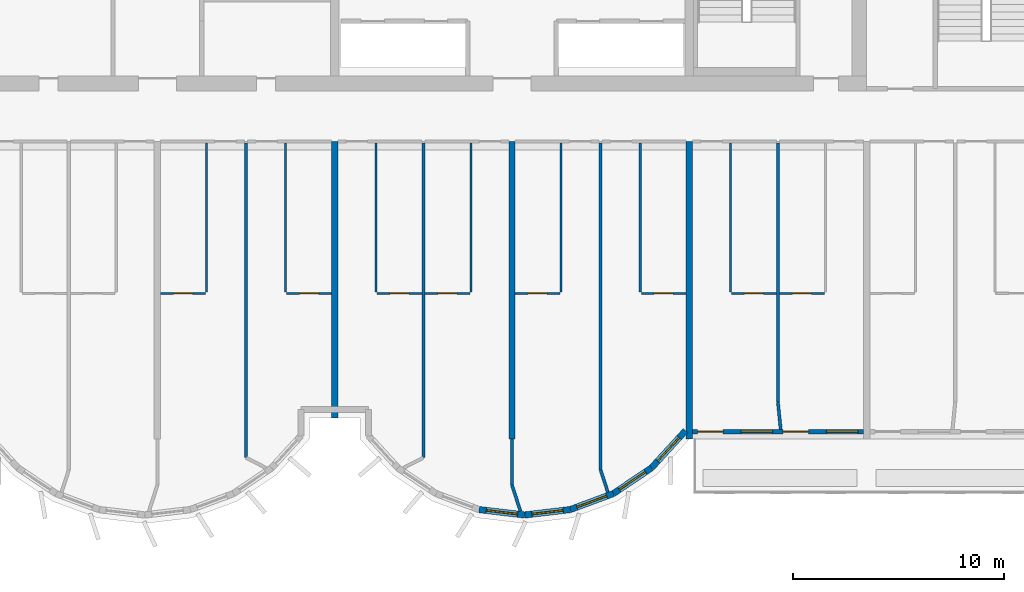
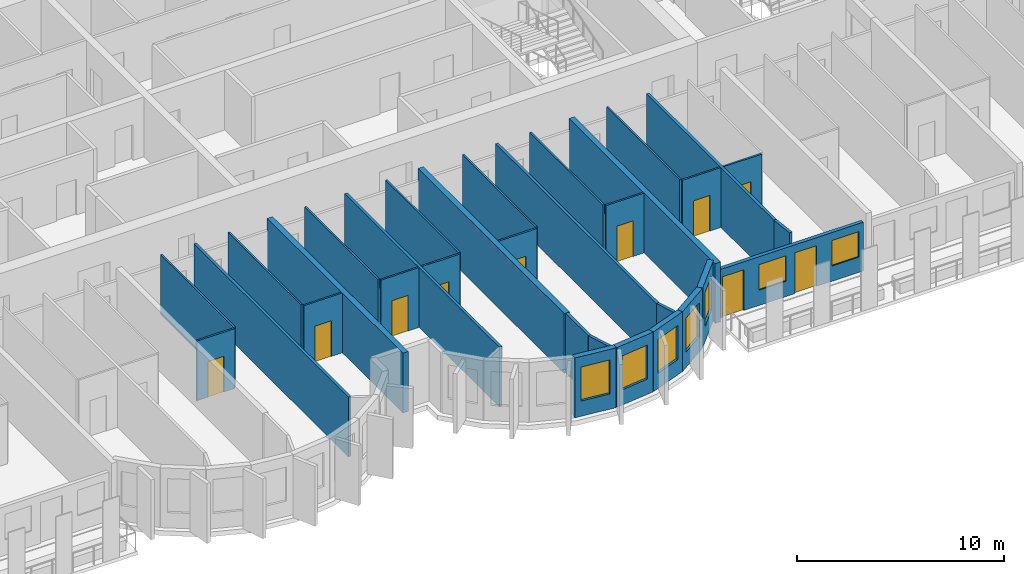
# One storey, part 5 of 13: 32 walls, 10 doors, 7 windows, 17 openings.
"""IFC4 building model written with IfcOpenShell, lengths in metres."""

from ifc_helpers import new_model, si_unit, direction, frame, frame_2d, origin, place, context, subcontext, project, spatial, rectangle, extrude, source, transform, mapped, material, layer, layer_set, type_object, element, fill, save


model = new_model("IFC4")

# Units and contexts
model_context = context("Model", 3, precision=1e-05, world=origin(), true_north=direction((0.0, 1.0)))
body_context = subcontext(model_context, "Body", "Model", "MODEL_VIEW")
ifc_project = project(units=[si_unit("LENGTHUNIT", "METRE"), si_unit("AREAUNIT", "SQUARE_METRE"), si_unit("VOLUMEUNIT", "CUBIC_METRE"), si_unit("PLANEANGLEUNIT", "RADIAN"), si_unit("MASSUNIT", "GRAM", prefix="KILO")], contexts=[model_context])

# Site, building, storey
site_placement = place(None, origin())
site = spatial("IfcSite", under=ifc_project, at=site_placement, CompositionType="ELEMENT")
building_placement = place(site_placement, origin())
building = spatial("IfcBuilding", under=site, at=building_placement, Name="Vanashikhar Sky Hotel", CompositionType="ELEMENT")
storey_placement = place(building_placement, frame((0.0, 0.0, 174.39990234375)))
storey = spatial("IfcBuildingStorey", under=building, at=storey_placement, Name="L42", CompositionType="ELEMENT", Elevation=174.39990234375)

# Walls
ifc_material_1 = material(Name="Concrete M60", Category="concrete")
ifc_layer_1 = layer(ifc_material_1, 0.300048828125)
ifc_layer_set_1 = layer_set([ifc_layer_1], Name="RC shear wall 300 Concrete M60")
wall_type_1 = type_object("IfcWallType", Name="RC shear wall 300 Concrete M60", PredefinedType="SHEAR", material=ifc_layer_set_1)
shared_shape_1 = source(origin(), body_context, "Body", "SweptSolid", [
    extrude(rectangle(XDim=14.10009765625, YDim=0.300048828125, at=frame_2d((7.050048828125, 0.0))), origin(), (0.0, 0.0, 1.0), 3.52001953125),
])
for number, where, z_axis, x_axis, name in (
    (1, (58.800048828125, 5.5, 0.0), (0.0, 0.0, 1.0), (0.0, 1.0, 0.0), "CW-L42-XW08-1"),
    (2, (67.199951171875, 5.5, 0.0), (0.0, 0.0, 1.0), (0.0, 1.0, 0.0), "CW-L42-XW09-1"),
):
    element("IfcWall", number, at=place(storey_placement, frame(where, z_axis=z_axis, x_axis=x_axis)), inside=storey, type_object=wall_type_1, Name=name, PredefinedType="SHEAR", context=body_context, shape_type="MappedRepresentation", body=[
        mapped(shared_shape_1, transform((0.0, 0.0, 0.0), scale=1.0)),
    ])
shared_shape_2 = source(origin(), body_context, "Body", "SweptSolid", [
    extrude(rectangle(XDim=13.10009765625, YDim=0.300048828125, at=frame_2d((6.550048828125, 0.0))), origin(), (0.0, 0.0, 1.0), 3.52001953125),
])
wall_1_placement = place(storey_placement, frame((50.39990234375, 6.5, 0.0), z_axis=(0.0, 0.0, 1.0), x_axis=(0.0, 1.0, 0.0)))
element("IfcWall", 3, at=wall_1_placement, inside=storey, type_object=wall_type_1, Name="CW-L42-XW07-1", PredefinedType="SHEAR", context=body_context, shape_type="MappedRepresentation", body=[
    mapped(shared_shape_2, transform((0.0, 0.0, 0.0), scale=1.0)),
])

# Wall, opening, window
ifc_material_2 = material(Name="Concrete M50", Category="concrete")
ifc_layer_2 = layer(ifc_material_2, 0.300048828125)
ifc_layer_set_2 = layer_set([ifc_layer_2], Name="Lobe wall 300")
wall_type_2 = type_object("IfcWallType", Name="Lobe wall 300", PredefinedType="SOLIDWALL", material=ifc_layer_set_2)
shared_shape_3 = source(origin(), body_context, "Body", "SweptSolid", [
    extrude(rectangle(XDim=2.398193359375, YDim=0.300048828125, at=frame_2d((1.19921875, 0.0))), origin(), (0.0, 0.0, 1.0), 3.52001953125),
])
wall_2_placement = place(storey_placement, frame((65.404296875, 4.13134765625, 0.0), z_axis=(0.0, 0.0, 1.0), x_axis=(0.675374189419, 0.737475222815, 0.0)))
wall_2 = element("IfcWall", 4, at=wall_2_placement, inside=storey, type_object=wall_type_2, Name="Lobe wall", PredefinedType="SOLIDWALL", context=body_context, shape_type="MappedRepresentation", body=[
    mapped(shared_shape_3, transform((0.0, 0.0, 0.0), scale=1.0)),
])
shared_shape_4 = source(origin(), body_context, "Body", "SweptSolid", [
    extrude(rectangle(XDim=1.5, YDim=2.0, at=frame_2d((0.75, 1.0))), frame((0.0, 0.16015625, 0.0), z_axis=(0.0, -1.0, 0.0), x_axis=(1.0, 0.0, 0.0)), (0.0, 0.0, 1.0), 0.320068359375),
])
opening_1_placement = place(wall_2_placement, frame((0.44921875, 0.0, 0.89990234375)))
opening_1 = element("IfcOpeningElement", 5, at=opening_1_placement, cuts=wall_2, Name="Opening WN-2", PredefinedType="OPENING", context=body_context, shape_type="MappedRepresentation", body=[
    mapped(shared_shape_4, transform((0.0, 0.0, 0.0), scale=1.0)),
])
ifc_material_3 = material(Name="Glass", Category="glass")
window_type_1 = type_object("IfcWindowType", Name="Lobe window 1500 x 2000", PartitioningType="SINGLE_PANEL", PredefinedType="WINDOW", material=ifc_material_3)
shared_shape_5 = source(origin(), body_context, "Body", "SweptSolid", [
    extrude(rectangle(XDim=1.5, YDim=2.0, at=frame_2d((0.75, 1.0))), frame((0.0, 0.030029296875, 0.0), z_axis=(0.0, -1.0, 0.0), x_axis=(1.0, 0.0, 0.0)), (0.0, 0.0, 1.0), 0.06005859375),
])
window_1_placement = place(opening_1_placement, origin())
window_1 = element("IfcWindow", 6, at=window_1_placement, inside=storey, type_object=window_type_1, Name="Window WN-2", OverallHeight=2.0, OverallWidth=1.5, PartitioningType="SINGLE_PANEL", PredefinedType="WINDOW", context=body_context, shape_type="MappedRepresentation", body=[
    mapped(shared_shape_5, transform((0.0, 0.0, 0.0), scale=1.0)),
])
fill(opening_1, window_1)

shared_shape_6 = source(origin(), body_context, "Body", "SweptSolid", [
    extrude(rectangle(XDim=2.17578125, YDim=0.300048828125, at=frame_2d((1.087890625, 0.0))), origin(), (0.0, 0.0, 1.0), 3.52001953125),
])
wall_3_placement = place(storey_placement, frame((63.59912109375, 2.91650390625, 0.0), z_axis=(0.0, 0.0, 1.0), x_axis=(0.829625727223, 0.558319937607, 0.0)))
wall_3 = element("IfcWall", 7, at=wall_3_placement, inside=storey, type_object=wall_type_2, Name="Lobe wall", PredefinedType="SOLIDWALL", context=body_context, shape_type="MappedRepresentation", body=[
    mapped(shared_shape_6, transform((0.0, 0.0, 0.0), scale=1.0)),
])
opening_2_placement = place(wall_3_placement, frame((0.337890625, 0.0, 0.89990234375)))
opening_2 = element("IfcOpeningElement", 8, at=opening_2_placement, cuts=wall_3, Name="Opening WN-2", PredefinedType="OPENING", context=body_context, shape_type="MappedRepresentation", body=[
    mapped(shared_shape_4, transform((0.0, 0.0, 0.0), scale=1.0)),
])
window_2_placement = place(opening_2_placement, origin())
window_2 = element("IfcWindow", 9, at=window_2_placement, inside=storey, type_object=window_type_1, Name="Window WN-2", OverallHeight=2.0, OverallWidth=1.5, PartitioningType="SINGLE_PANEL", PredefinedType="WINDOW", context=body_context, shape_type="MappedRepresentation", body=[
    mapped(shared_shape_5, transform((0.0, 0.0, 0.0), scale=1.0)),
])
fill(opening_2, window_2)

shared_shape_7 = source(origin(), body_context, "Body", "SweptSolid", [
    extrude(rectangle(XDim=2.174560546875, YDim=0.300048828125, at=frame_2d((1.08740234375, 0.0))), origin(), (0.0, 0.0, 1.0), 3.52001953125),
])
wall_4_placement = place(storey_placement, frame((57.240478515625, 2.15966796875, 0.0), z_axis=(0.0, 0.0, 1.0), x_axis=(0.993001132889, -0.118104826659, 0.0)))
wall_4 = element("IfcWall", 10, at=wall_4_placement, inside=storey, type_object=wall_type_2, Name="Lobe wall", PredefinedType="SOLIDWALL", context=body_context, shape_type="MappedRepresentation", body=[
    mapped(shared_shape_7, transform((0.0, 0.0, 0.0), scale=1.0)),
])
opening_3_placement = place(wall_4_placement, frame((0.33740234375, 0.0, 0.89990234375)))
opening_3 = element("IfcOpeningElement", 11, at=opening_3_placement, cuts=wall_4, Name="Opening WN-2", PredefinedType="OPENING", context=body_context, shape_type="MappedRepresentation", body=[
    mapped(shared_shape_4, transform((0.0, 0.0, 0.0), scale=1.0)),
])
window_3_placement = place(opening_3_placement, origin())
window_3 = element("IfcWindow", 12, at=window_3_placement, inside=storey, type_object=window_type_1, Name="Window WN-2", OverallHeight=2.0, OverallWidth=1.5, PartitioningType="SINGLE_PANEL", PredefinedType="WINDOW", context=body_context, shape_type="MappedRepresentation", body=[
    mapped(shared_shape_5, transform((0.0, 0.0, 0.0), scale=1.0)),
])
fill(opening_3, window_3)

shared_shape_8 = source(origin(), body_context, "Body", "SweptSolid", [
    extrude(rectangle(XDim=2.1748046875, YDim=0.300048828125, at=frame_2d((1.08740234375, 0.0))), origin(), (0.0, 0.0, 1.0), 3.52001953125),
])
wall_5_placement = place(storey_placement, frame((59.39990234375, 1.90283203125, 0.0), z_axis=(0.0, 0.0, 1.0), x_axis=(0.993002698611, 0.118091661648, 0.0)))
wall_5 = element("IfcWall", 13, at=wall_5_placement, inside=storey, type_object=wall_type_2, Name="Lobe wall", PredefinedType="SOLIDWALL", context=body_context, shape_type="MappedRepresentation", body=[
    mapped(shared_shape_8, transform((0.0, 0.0, 0.0), scale=1.0)),
])
opening_4_placement = place(wall_5_placement, frame((0.33740234375, 0.0, 0.89990234375)))
opening_4 = element("IfcOpeningElement", 14, at=opening_4_placement, cuts=wall_5, Name="Opening WN-2", PredefinedType="OPENING", context=body_context, shape_type="MappedRepresentation", body=[
    mapped(shared_shape_4, transform((0.0, 0.0, 0.0), scale=1.0)),
])
window_4_placement = place(opening_4_placement, origin())
window_4 = element("IfcWindow", 15, at=window_4_placement, inside=storey, type_object=window_type_1, Name="Window WN-2", OverallHeight=2.0, OverallWidth=1.5, PartitioningType="SINGLE_PANEL", PredefinedType="WINDOW", context=body_context, shape_type="MappedRepresentation", body=[
    mapped(shared_shape_5, transform((0.0, 0.0, 0.0), scale=1.0)),
])
fill(opening_4, window_4)

shared_shape_9 = source(origin(), body_context, "Body", "SweptSolid", [
    extrude(rectangle(XDim=2.175537109375, YDim=0.300048828125, at=frame_2d((1.087890625, 0.0))), origin(), (0.0, 0.0, 1.0), 3.52001953125),
])
wall_6_placement = place(storey_placement, frame((61.5595703125, 2.15966796875, 0.0), z_axis=(0.0, 0.0, 1.0), x_axis=(0.937531979054, 0.347899106424, 0.0)))
wall_6 = element("IfcWall", 16, at=wall_6_placement, inside=storey, type_object=wall_type_2, Name="Lobe wall", PredefinedType="SOLIDWALL", context=body_context, shape_type="MappedRepresentation", body=[
    mapped(shared_shape_9, transform((0.0, 0.0, 0.0), scale=1.0)),
])
opening_5_placement = place(wall_6_placement, frame((0.337890625, 0.0, 0.89990234375)))
opening_5 = element("IfcOpeningElement", 17, at=opening_5_placement, cuts=wall_6, Name="Opening WN-2", PredefinedType="OPENING", context=body_context, shape_type="MappedRepresentation", body=[
    mapped(shared_shape_4, transform((0.0, 0.0, 0.0), scale=1.0)),
])
window_5_placement = place(opening_5_placement, origin())
window_5 = element("IfcWindow", 18, at=window_5_placement, inside=storey, type_object=window_type_1, Name="Window WN-2", OverallHeight=2.0, OverallWidth=1.5, PartitioningType="SINGLE_PANEL", PredefinedType="WINDOW", context=body_context, shape_type="MappedRepresentation", body=[
    mapped(shared_shape_5, transform((0.0, 0.0, 0.0), scale=1.0)),
])
fill(opening_5, window_5)

# Wall, openings, windows, doors
ifc_layer_3 = layer(ifc_material_2, 0.199951171875)
ifc_layer_set_3 = layer_set([ifc_layer_3], Name="Front window wall 200")
wall_type_3 = type_object("IfcWallType", Name="Front window wall 200", PredefinedType="SOLIDWALL", material=ifc_layer_set_3)
shared_shape_10 = source(origin(), body_context, "Body", "SweptSolid", [
    extrude(rectangle(XDim=8.099853515625, YDim=0.199951171875, at=frame_2d((4.0498046875, 0.0))), origin(), (0.0, 0.0, 1.0), 2.8701171875),
])
wall_7_placement = place(storey_placement, frame((67.35009765625, 5.85009765625, 0.0), z_axis=(0.0, 0.0, 1.0), x_axis=(1.0, 0.0, 0.0)))
wall_7 = element("IfcWall", 19, at=wall_7_placement, inside=storey, type_object=wall_type_3, Name="Front window wall", PredefinedType="SOLIDWALL", context=body_context, shape_type="MappedRepresentation", body=[
    mapped(shared_shape_10, transform((0.0, 0.0, 0.0), scale=1.0)),
])
shared_shape_11 = source(origin(), body_context, "Body", "SweptSolid", [
    extrude(rectangle(XDim=1.199951171875, YDim=2.39990234375, at=frame_2d((0.60009765625, 1.199951171875))), frame((0.0, 0.10986328125, 0.0), z_axis=(0.0, -1.0, 0.0), x_axis=(1.0, 0.0, 0.0)), (0.0, 0.0, 1.0), 0.219970703125),
])
opening_6_placement = place(wall_7_placement, frame((0.25, 0.0, 0.0)))
opening_6 = element("IfcOpeningElement", 20, at=opening_6_placement, cuts=wall_7, Name="Opening BD-06", PredefinedType="OPENING", context=body_context, shape_type="MappedRepresentation", body=[
    mapped(shared_shape_11, transform((0.0, 0.0, 0.0), scale=1.0)),
])
shared_shape_12 = source(origin(), body_context, "Body", "SweptSolid", [
    extrude(rectangle(XDim=1.5, YDim=1.5, at=frame_2d((0.75, 0.75))), frame((0.0, 0.10986328125, 0.0), z_axis=(0.0, -1.0, 0.0), x_axis=(1.0, 0.0, 0.0)), (0.0, 0.0, 1.0), 0.219970703125),
])
opening_7_placement = place(wall_7_placement, frame((2.300048828125, 0.0, 0.89990234375)))
opening_7 = element("IfcOpeningElement", 21, at=opening_7_placement, cuts=wall_7, Name="Opening WN-1", PredefinedType="OPENING", context=body_context, shape_type="MappedRepresentation", body=[
    mapped(shared_shape_12, transform((0.0, 0.0, 0.0), scale=1.0)),
])
opening_8_placement = place(wall_7_placement, frame((4.300048828125, 0.0, 0.0)))
opening_8 = element("IfcOpeningElement", 22, at=opening_8_placement, cuts=wall_7, Name="Opening BD-07", PredefinedType="OPENING", context=body_context, shape_type="MappedRepresentation", body=[
    mapped(shared_shape_11, transform((0.0, 0.0, 0.0), scale=1.0)),
])
opening_9_placement = place(wall_7_placement, frame((6.35009765625, 0.0, 0.89990234375)))
opening_9 = element("IfcOpeningElement", 23, at=opening_9_placement, cuts=wall_7, Name="Opening WN-1", PredefinedType="OPENING", context=body_context, shape_type="MappedRepresentation", body=[
    mapped(shared_shape_12, transform((0.0, 0.0, 0.0), scale=1.0)),
])
window_type_2 = type_object("IfcWindowType", Name="Window 1500 x 1500", PartitioningType="SINGLE_PANEL", PredefinedType="WINDOW", material=ifc_material_3)
shared_shape_13 = source(origin(), body_context, "Body", "SweptSolid", [
    extrude(rectangle(XDim=1.5, YDim=1.5, at=frame_2d((0.75, 0.75))), frame((0.0, 0.030029296875, 0.0), z_axis=(0.0, -1.0, 0.0), x_axis=(1.0, 0.0, 0.0)), (0.0, 0.0, 1.0), 0.06005859375),
])
window_6_placement = place(opening_7_placement, origin())
window_6 = element("IfcWindow", 24, at=window_6_placement, inside=storey, type_object=window_type_2, Name="Window WN-1", OverallHeight=1.5, OverallWidth=1.5, PartitioningType="SINGLE_PANEL", PredefinedType="WINDOW", context=body_context, shape_type="MappedRepresentation", body=[
    mapped(shared_shape_13, transform((0.0, 0.0, 0.0), scale=1.0)),
])
fill(opening_7, window_6)
window_7_placement = place(opening_9_placement, origin())
window_7 = element("IfcWindow", 25, at=window_7_placement, inside=storey, type_object=window_type_2, Name="Window WN-1", OverallHeight=1.5, OverallWidth=1.5, PartitioningType="SINGLE_PANEL", PredefinedType="WINDOW", context=body_context, shape_type="MappedRepresentation", body=[
    mapped(shared_shape_13, transform((0.0, 0.0, 0.0), scale=1.0)),
])
fill(opening_9, window_7)
ifc_material_4 = material(Name="Aluminium", Category="aluminium")
door_type_1 = type_object("IfcDoorType", Name="Balcony sliding door 1200 x 2400", OperationType="NOTDEFINED", PredefinedType="DOOR", material=ifc_material_4)
shared_shape_14 = source(origin(), body_context, "Body", "SweptSolid", [
    extrude(rectangle(XDim=1.199951171875, YDim=2.39990234375, at=frame_2d((0.60009765625, 1.199951171875))), frame((0.0, 0.02490234375, 0.0), z_axis=(0.0, -1.0, 0.0), x_axis=(1.0, 0.0, 0.0)), (0.0, 0.0, 1.0), 0.050048828125),
])
door_1_placement = place(opening_6_placement, origin())
door_1 = element("IfcDoor", 26, at=door_1_placement, inside=storey, type_object=door_type_1, Name="Balcony sliding door", OperationType="SLIDING_TO_RIGHT", OverallHeight=2.39990234375, OverallWidth=1.199951171875, PredefinedType="DOOR", context=body_context, shape_type="MappedRepresentation", body=[
    mapped(shared_shape_14, transform((0.0, 0.0, 0.0), scale=1.0)),
])
fill(opening_6, door_1)
door_2_placement = place(opening_8_placement, origin())
door_2 = element("IfcDoor", 27, at=door_2_placement, inside=storey, type_object=door_type_1, Name="Balcony sliding door", OperationType="SLIDING_TO_LEFT", OverallHeight=2.39990234375, OverallWidth=1.199951171875, PredefinedType="DOOR", context=body_context, shape_type="MappedRepresentation", body=[
    mapped(shared_shape_14, transform((0.0, 0.0, 0.0), scale=1.0)),
])
fill(opening_8, door_2)

# Walls
ifc_material_5 = material(Name="Gypsum plasterboard partition")
ifc_layer_4 = layer(ifc_material_5, 0.10009765625)
ifc_layer_set_4 = layer_set([ifc_layer_4], Name="Wet room partition 100")
wall_type_4 = type_object("IfcWallType", Name="Wet room partition 100", PredefinedType="PARTITIONING", material=ifc_layer_set_4)
shared_shape_15 = source(origin(), body_context, "Body", "SweptSolid", [
    extrude(rectangle(XDim=7.0498046875, YDim=0.10009765625, at=frame_2d((3.52490234375, 0.0))), origin(), (0.0, 0.0, 1.0), 3.52001953125),
])
for number, where, z_axis, x_axis, name in (
    (28, (44.324951171875, 12.47509765625, 0.0), (0.0, 0.0, 1.0), (0.0, 1.0, 0.0), "W-L42-PW027"),
    (29, (48.074951171875, 12.47509765625, 0.0), (0.0, 0.0, 1.0), (0.0, 1.0, 0.0), "W-L42-PW030"),
    (30, (52.35009765625, 12.47509765625, 0.0), (0.0, 0.0, 1.0), (0.0, 1.0, 0.0), "W-L42-PW034"),
    (31, (56.85009765625, 12.47509765625, 0.0), (0.0, 0.0, 1.0), (0.0, 1.0, 0.0), "W-L42-PW037"),
    (32, (61.125, 12.47509765625, 0.0), (0.0, 0.0, 1.0), (0.0, 1.0, 0.0), "W-L42-PW041"),
    (33, (64.875, 12.47509765625, 0.0), (0.0, 0.0, 1.0), (0.0, 1.0, 0.0), "W-L42-PW044"),
    (34, (69.14990234375, 12.47509765625, 0.0), (0.0, 0.0, 1.0), (0.0, 1.0, 0.0), "W-L42-PW048"),
):
    element("IfcWall", number, at=place(storey_placement, frame(where, z_axis=z_axis, x_axis=x_axis)), inside=storey, type_object=wall_type_4, Name=name, PredefinedType="PARTITIONING", context=body_context, shape_type="MappedRepresentation", body=[
        mapped(shared_shape_15, transform((0.0, 0.0, 0.0), scale=1.0)),
    ])
ifc_layer_5 = layer(ifc_material_5, 0.14990234375)
ifc_layer_set_5 = layer_set([ifc_layer_5], Name="Corridor and demising partition 150")
wall_type_5 = type_object("IfcWallType", Name="Corridor and demising partition 150", PredefinedType="PARTITIONING", material=ifc_layer_set_5)
shared_shape_16 = source(origin(), body_context, "Body", "SweptSolid", [
    extrude(rectangle(XDim=2.177978515625, YDim=0.14990234375, at=frame_2d((1.0888671875, 0.0))), origin(), (0.0, 0.0, 1.0), 3.52001953125),
])
wall_8_placement = place(storey_placement, frame((58.800048828125, 3.322021484375, 0.0), z_axis=(0.0, 0.0, 1.0), x_axis=(0.0, 1.0, 0.0)))
element("IfcWall", 35, at=wall_8_placement, inside=storey, type_object=wall_type_5, Name="W-L42-PW070", PredefinedType="PARTITIONING", context=body_context, shape_type="MappedRepresentation", body=[
    mapped(shared_shape_16, transform((0.0, 0.0, 0.0), scale=1.0)),
])
shared_shape_17 = source(origin(), body_context, "Body", "SweptSolid", [
    extrude(rectangle(XDim=1.100830078125, YDim=0.14990234375, at=frame_2d((0.55029296875, 0.0))), origin(), (0.0, 0.0, 1.0), 3.52001953125),
])
wall_9_placement = place(storey_placement, frame((63.343017578125, 2.98095703125, 0.0), z_axis=(0.0, 0.0, 1.0), x_axis=(-0.311567081539, 0.950224159712, 0.0)))
element("IfcWall", 36, at=wall_9_placement, inside=storey, type_object=wall_type_5, Name="W-L42-PW047B0", PredefinedType="PARTITIONING", context=body_context, shape_type="MappedRepresentation", body=[
    mapped(shared_shape_17, transform((0.0, 0.0, 0.0), scale=1.0)),
])
shared_shape_18 = source(origin(), body_context, "Body", "SweptSolid", [
    extrude(rectangle(XDim=1.308349609375, YDim=0.14990234375, at=frame_2d((0.654296875, 0.0))), origin(), (0.0, 0.0, 1.0), 3.52001953125),
])
wall_10_placement = place(storey_placement, frame((59.201904296875, 2.076904296875, 0.0), z_axis=(0.0, 0.0, 1.0), x_axis=(-0.307144529633, 0.951662880392, 0.0)))
element("IfcWall", 37, at=wall_10_placement, inside=storey, type_object=wall_type_5, Name="W-L42-PW070B0", PredefinedType="PARTITIONING", context=body_context, shape_type="MappedRepresentation", body=[
    mapped(shared_shape_18, transform((0.0, 0.0, 0.0), scale=1.0)),
])
shared_shape_19 = source(origin(), body_context, "Body", "SweptSolid", [
    extrude(rectangle(XDim=12.27490234375, YDim=0.14990234375, at=frame_2d((6.137451171875, 0.0))), origin(), (0.0, 0.0, 1.0), 3.52001953125),
])
wall_11_placement = place(storey_placement, frame((71.39990234375, 7.25, 0.0), z_axis=(0.0, 0.0, 1.0), x_axis=(0.0, 1.0, 0.0)))
element("IfcWall", 38, at=wall_11_placement, inside=storey, type_object=wall_type_5, Name="W-L42-PW054", PredefinedType="PARTITIONING", context=body_context, shape_type="MappedRepresentation", body=[
    mapped(shared_shape_19, transform((0.0, 0.0, 0.0), scale=1.0)),
])
shared_shape_20 = source(origin(), body_context, "Body", "SweptSolid", [
    extrude(rectangle(XDim=15.497802734375, YDim=0.14990234375, at=frame_2d((7.7490234375, 0.0))), origin(), (0.0, 0.0, 1.0), 3.52001953125),
])
wall_12_placement = place(storey_placement, frame((63.0, 4.027099609375, 0.0), z_axis=(0.0, 0.0, 1.0), x_axis=(0.0, 1.0, 0.0)))
element("IfcWall", 39, at=wall_12_placement, inside=storey, type_object=wall_type_5, Name="W-L42-PW047", PredefinedType="PARTITIONING", context=body_context, shape_type="MappedRepresentation", body=[
    mapped(shared_shape_20, transform((0.0, 0.0, 0.0), scale=1.0)),
])
shared_shape_21 = source(origin(), body_context, "Body", "SweptSolid", [
    extrude(rectangle(XDim=14.906005859375, YDim=0.14990234375, at=frame_2d((7.453125, 0.0))), origin(), (0.0, 0.0, 1.0), 3.52001953125),
])
for number, where, z_axis, x_axis, name in (
    (40, (46.199951171875, 4.618896484375, 0.0), (0.0, 0.0, 1.0), (0.0, 1.0, 0.0), "W-L42-PW033"),
    (41, (54.60009765625, 4.618896484375, 0.0), (0.0, 0.0, 1.0), (0.0, 1.0, 0.0), "W-L42-PW040"),
):
    element("IfcWall", number, at=place(storey_placement, frame(where, z_axis=z_axis, x_axis=x_axis)), inside=storey, type_object=wall_type_5, Name=name, PredefinedType="PARTITIONING", context=body_context, shape_type="MappedRepresentation", body=[
        mapped(shared_shape_21, transform((0.0, 0.0, 0.0), scale=1.0)),
    ])
shared_shape_22 = source(origin(), body_context, "Body", "SweptSolid", [
    extrude(rectangle(XDim=1.306640625, YDim=0.14990234375, at=frame_2d((0.6533203125, 0.0))), origin(), (0.0, 0.0, 1.0), 3.52001953125),
])
wall_13_placement = place(storey_placement, frame((71.530029296875, 5.949951171875, 0.0), z_axis=(0.0, 0.0, 1.0), x_axis=(-0.099596223396, 0.99502793543, 0.0)))
element("IfcWall", 42, at=wall_13_placement, inside=storey, type_object=wall_type_5, Name="W-L42-PW054B0", PredefinedType="PARTITIONING", context=body_context, shape_type="MappedRepresentation", body=[
    mapped(shared_shape_22, transform((0.0, 0.0, 0.0), scale=1.0)),
])

# Wall, opening, door
shared_shape_23 = source(origin(), body_context, "Body", "SweptSolid", [
    extrude(rectangle(XDim=2.125, YDim=0.10009765625, at=frame_2d((1.0625, 0.0))), origin(), (0.0, 0.0, 1.0), 3.52001953125),
])
wall_14_placement = place(storey_placement, frame((42.14990234375, 12.39990234375, 0.0), z_axis=(0.0, 0.0, 1.0), x_axis=(1.0, 0.0, 0.0)))
wall_14 = element("IfcWall", 43, at=wall_14_placement, inside=storey, type_object=wall_type_4, Name="W-L42-PW028", PredefinedType="PARTITIONING", context=body_context, shape_type="MappedRepresentation", body=[
    mapped(shared_shape_23, transform((0.0, 0.0, 0.0), scale=1.0)),
])
shared_shape_24 = source(origin(), body_context, "Body", "SweptSolid", [
    extrude(rectangle(XDim=0.89990234375, YDim=2.10009765625, at=frame_2d((0.449951171875, 1.050048828125))), frame((0.0, 0.06005859375, 0.0), z_axis=(0.0, -1.0, 0.0), x_axis=(1.0, 0.0, 0.0)), (0.0, 0.0, 1.0), 0.1201171875),
])
opening_10_placement = place(wall_14_placement, frame((0.613037109375, 0.0, 0.0)))
opening_10 = element("IfcOpeningElement", 44, at=opening_10_placement, cuts=wall_14, Name="Opening D-02", PredefinedType="OPENING", context=body_context, shape_type="MappedRepresentation", body=[
    mapped(shared_shape_24, transform((0.0, 0.0, 0.0), scale=1.0)),
])
ifc_material_6 = material(Name="Timber door", Category="wood")
door_type_2 = type_object("IfcDoorType", Name="Internal door 900", OperationType="NOTDEFINED", PredefinedType="DOOR", material=ifc_material_6)
shared_shape_25 = source(origin(), body_context, "Body", "SweptSolid", [
    extrude(rectangle(XDim=0.89990234375, YDim=2.10009765625, at=frame_2d((0.449951171875, 1.050048828125))), frame((0.0, 0.02490234375, 0.0), z_axis=(0.0, -1.0, 0.0), x_axis=(1.0, 0.0, 0.0)), (0.0, 0.0, 1.0), 0.050048828125),
])
door_3_placement = place(opening_10_placement, origin())
door_3 = element("IfcDoor", 45, at=door_3_placement, inside=storey, type_object=door_type_2, Name="D-L42-016", OperationType="SINGLE_SWING_RIGHT", OverallHeight=2.10009765625, OverallWidth=0.89990234375, PredefinedType="DOOR", context=body_context, shape_type="MappedRepresentation", body=[
    mapped(shared_shape_25, transform((0.0, 0.0, 0.0), scale=1.0)),
])
fill(opening_10, door_3)

wall_15_placement = place(storey_placement, frame((48.125, 12.39990234375, 0.0), z_axis=(0.0, 0.0, 1.0), x_axis=(1.0, 0.0, 0.0)))
wall_15 = element("IfcWall", 46, at=wall_15_placement, inside=storey, type_object=wall_type_4, Name="W-L42-PW031", PredefinedType="PARTITIONING", context=body_context, shape_type="MappedRepresentation", body=[
    mapped(shared_shape_23, transform((0.0, 0.0, 0.0), scale=1.0)),
])
opening_11_placement = place(wall_15_placement, frame((0.612060546875, 0.0, 0.0)))
opening_11 = element("IfcOpeningElement", 47, at=opening_11_placement, cuts=wall_15, Name="Opening D-02", PredefinedType="OPENING", context=body_context, shape_type="MappedRepresentation", body=[
    mapped(shared_shape_24, transform((0.0, 0.0, 0.0), scale=1.0)),
])
door_4_placement = place(opening_11_placement, origin())
door_4 = element("IfcDoor", 48, at=door_4_placement, inside=storey, type_object=door_type_2, Name="D-L42-018", OperationType="SINGLE_SWING_LEFT", OverallHeight=2.10009765625, OverallWidth=0.89990234375, PredefinedType="DOOR", context=body_context, shape_type="MappedRepresentation", body=[
    mapped(shared_shape_25, transform((0.0, 0.0, 0.0), scale=1.0)),
])
fill(opening_11, door_4)

wall_16_placement = place(storey_placement, frame((52.39990234375, 12.39990234375, 0.0), z_axis=(0.0, 0.0, 1.0), x_axis=(1.0, 0.0, 0.0)))
wall_16 = element("IfcWall", 49, at=wall_16_placement, inside=storey, type_object=wall_type_4, Name="W-L42-PW035", PredefinedType="PARTITIONING", context=body_context, shape_type="MappedRepresentation", body=[
    mapped(shared_shape_23, transform((0.0, 0.0, 0.0), scale=1.0)),
])
opening_12_placement = place(wall_16_placement, frame((0.612060546875, 0.0, 0.0)))
opening_12 = element("IfcOpeningElement", 50, at=opening_12_placement, cuts=wall_16, Name="Opening D-02", PredefinedType="OPENING", context=body_context, shape_type="MappedRepresentation", body=[
    mapped(shared_shape_24, transform((0.0, 0.0, 0.0), scale=1.0)),
])
door_5_placement = place(opening_12_placement, origin())
door_5 = element("IfcDoor", 51, at=door_5_placement, inside=storey, type_object=door_type_2, Name="D-L42-020", OperationType="SINGLE_SWING_LEFT", OverallHeight=2.10009765625, OverallWidth=0.89990234375, PredefinedType="DOOR", context=body_context, shape_type="MappedRepresentation", body=[
    mapped(shared_shape_25, transform((0.0, 0.0, 0.0), scale=1.0)),
])
fill(opening_12, door_5)

wall_17_placement = place(storey_placement, frame((54.675048828125, 12.39990234375, 0.0), z_axis=(0.0, 0.0, 1.0), x_axis=(1.0, 0.0, 0.0)))
wall_17 = element("IfcWall", 52, at=wall_17_placement, inside=storey, type_object=wall_type_4, Name="W-L42-PW038", PredefinedType="PARTITIONING", context=body_context, shape_type="MappedRepresentation", body=[
    mapped(shared_shape_23, transform((0.0, 0.0, 0.0), scale=1.0)),
])
opening_13_placement = place(wall_17_placement, frame((0.613037109375, 0.0, 0.0)))
opening_13 = element("IfcOpeningElement", 53, at=opening_13_placement, cuts=wall_17, Name="Opening D-02", PredefinedType="OPENING", context=body_context, shape_type="MappedRepresentation", body=[
    mapped(shared_shape_24, transform((0.0, 0.0, 0.0), scale=1.0)),
])
door_6_placement = place(opening_13_placement, origin())
door_6 = element("IfcDoor", 54, at=door_6_placement, inside=storey, type_object=door_type_2, Name="D-L42-022", OperationType="SINGLE_SWING_RIGHT", OverallHeight=2.10009765625, OverallWidth=0.89990234375, PredefinedType="DOOR", context=body_context, shape_type="MappedRepresentation", body=[
    mapped(shared_shape_25, transform((0.0, 0.0, 0.0), scale=1.0)),
])
fill(opening_13, door_6)

wall_18_placement = place(storey_placement, frame((58.949951171875, 12.39990234375, 0.0), z_axis=(0.0, 0.0, 1.0), x_axis=(1.0, 0.0, 0.0)))
wall_18 = element("IfcWall", 55, at=wall_18_placement, inside=storey, type_object=wall_type_4, Name="W-L42-PW042", PredefinedType="PARTITIONING", context=body_context, shape_type="MappedRepresentation", body=[
    mapped(shared_shape_23, transform((0.0, 0.0, 0.0), scale=1.0)),
])
opening_14_placement = place(wall_18_placement, frame((0.612060546875, 0.0, 0.0)))
opening_14 = element("IfcOpeningElement", 56, at=opening_14_placement, cuts=wall_18, Name="Opening D-02", PredefinedType="OPENING", context=body_context, shape_type="MappedRepresentation", body=[
    mapped(shared_shape_24, transform((0.0, 0.0, 0.0), scale=1.0)),
])
door_7_placement = place(opening_14_placement, origin())
door_7 = element("IfcDoor", 57, at=door_7_placement, inside=storey, type_object=door_type_2, Name="D-L42-024", OperationType="SINGLE_SWING_RIGHT", OverallHeight=2.10009765625, OverallWidth=0.89990234375, PredefinedType="DOOR", context=body_context, shape_type="MappedRepresentation", body=[
    mapped(shared_shape_25, transform((0.0, 0.0, 0.0), scale=1.0)),
])
fill(opening_14, door_7)

wall_19_placement = place(storey_placement, frame((64.925048828125, 12.39990234375, 0.0), z_axis=(0.0, 0.0, 1.0), x_axis=(1.0, 0.0, 0.0)))
wall_19 = element("IfcWall", 58, at=wall_19_placement, inside=storey, type_object=wall_type_4, Name="W-L42-PW045", PredefinedType="PARTITIONING", context=body_context, shape_type="MappedRepresentation", body=[
    mapped(shared_shape_23, transform((0.0, 0.0, 0.0), scale=1.0)),
])
opening_15_placement = place(wall_19_placement, frame((0.612060546875, 0.0, 0.0)))
opening_15 = element("IfcOpeningElement", 59, at=opening_15_placement, cuts=wall_19, Name="Opening D-02", PredefinedType="OPENING", context=body_context, shape_type="MappedRepresentation", body=[
    mapped(shared_shape_24, transform((0.0, 0.0, 0.0), scale=1.0)),
])
door_8_placement = place(opening_15_placement, origin())
door_8 = element("IfcDoor", 60, at=door_8_placement, inside=storey, type_object=door_type_2, Name="D-L42-026", OperationType="SINGLE_SWING_LEFT", OverallHeight=2.10009765625, OverallWidth=0.89990234375, PredefinedType="DOOR", context=body_context, shape_type="MappedRepresentation", body=[
    mapped(shared_shape_25, transform((0.0, 0.0, 0.0), scale=1.0)),
])
fill(opening_15, door_8)

wall_20_placement = place(storey_placement, frame((69.199951171875, 12.39990234375, 0.0), z_axis=(0.0, 0.0, 1.0), x_axis=(1.0, 0.0, 0.0)))
wall_20 = element("IfcWall", 61, at=wall_20_placement, inside=storey, type_object=wall_type_4, Name="W-L42-PW049", PredefinedType="PARTITIONING", context=body_context, shape_type="MappedRepresentation", body=[
    mapped(shared_shape_23, transform((0.0, 0.0, 0.0), scale=1.0)),
])
opening_16_placement = place(wall_20_placement, frame((0.612060546875, 0.0, 0.0)))
opening_16 = element("IfcOpeningElement", 62, at=opening_16_placement, cuts=wall_20, Name="Opening D-02", PredefinedType="OPENING", context=body_context, shape_type="MappedRepresentation", body=[
    mapped(shared_shape_24, transform((0.0, 0.0, 0.0), scale=1.0)),
])
door_9_placement = place(opening_16_placement, origin())
door_9 = element("IfcDoor", 63, at=door_9_placement, inside=storey, type_object=door_type_2, Name="D-L42-028", OperationType="SINGLE_SWING_LEFT", OverallHeight=2.10009765625, OverallWidth=0.89990234375, PredefinedType="DOOR", context=body_context, shape_type="MappedRepresentation", body=[
    mapped(shared_shape_25, transform((0.0, 0.0, 0.0), scale=1.0)),
])
fill(opening_16, door_9)

wall_21_placement = place(storey_placement, frame((71.47509765625, 12.39990234375, 0.0), z_axis=(0.0, 0.0, 1.0), x_axis=(1.0, 0.0, 0.0)))
wall_21 = element("IfcWall", 64, at=wall_21_placement, inside=storey, type_object=wall_type_4, Name="W-L42-PW052", PredefinedType="PARTITIONING", context=body_context, shape_type="MappedRepresentation", body=[
    mapped(shared_shape_23, transform((0.0, 0.0, 0.0), scale=1.0)),
])
opening_17_placement = place(wall_21_placement, frame((0.613037109375, 0.0, 0.0)))
opening_17 = element("IfcOpeningElement", 65, at=opening_17_placement, cuts=wall_21, Name="Opening D-02", PredefinedType="OPENING", context=body_context, shape_type="MappedRepresentation", body=[
    mapped(shared_shape_24, transform((0.0, 0.0, 0.0), scale=1.0)),
])
door_10_placement = place(opening_17_placement, origin())
door_10 = element("IfcDoor", 66, at=door_10_placement, inside=storey, type_object=door_type_2, Name="D-L42-030", OperationType="SINGLE_SWING_RIGHT", OverallHeight=2.10009765625, OverallWidth=0.89990234375, PredefinedType="DOOR", context=body_context, shape_type="MappedRepresentation", body=[
    mapped(shared_shape_25, transform((0.0, 0.0, 0.0), scale=1.0)),
])
fill(opening_17, door_10)

save(model, "model.ifc")
